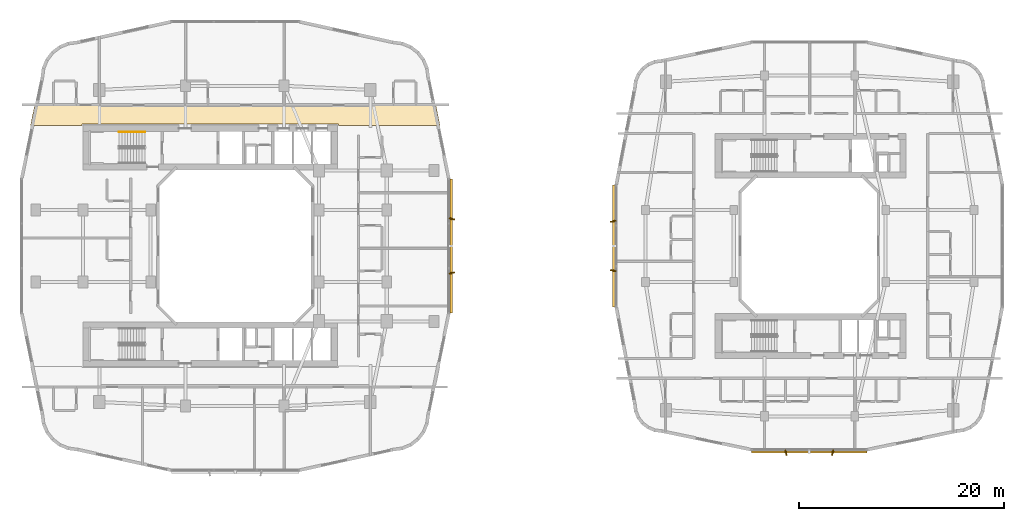
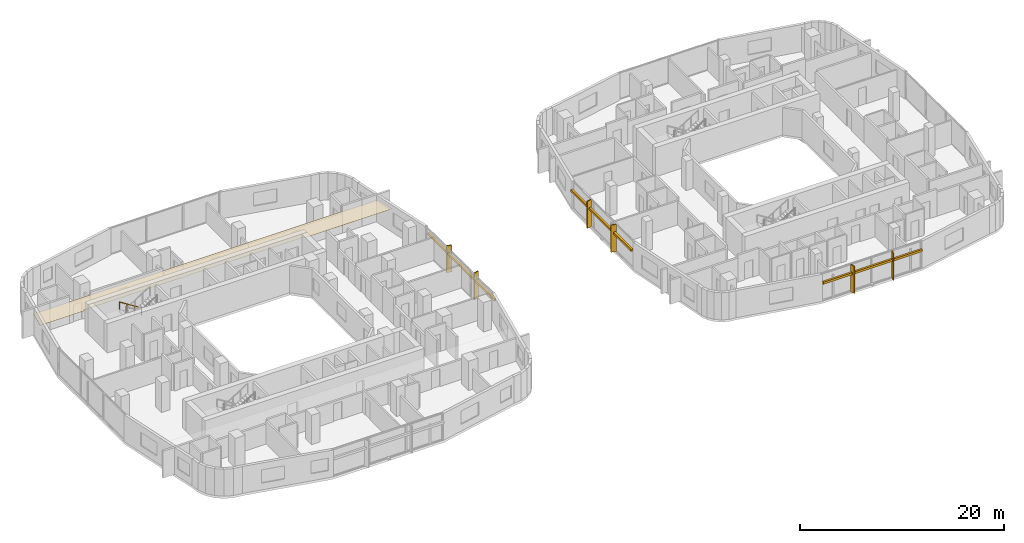
# One storey, part 26 of 27: 9 shading devices, 1 covering, 1 railing.
"""IFC4 building model written with IfcOpenShell, lengths in metres."""

import ifcopenshell
import ifcopenshell.guid

model = None  # the IFC model being written
_history = None  # IfcOwnerHistory: only IFC2X3 demands one
_inside = {}  # id of a spatial element -> (the spatial element, [elements in it])
_under = {}  # id of a project, library or spatial element -> (it, [spatial elements below it])
_declared = {}  # id of a project -> (the project, [libraries it declares])
_typed = {}  # id of a type object -> (the type object, [elements of that type])
_made_of = {}  # id of a material, layer set ... -> (it, [elements and type objects made of it])


def new_model(schema):
    """Start an empty IFC model of exactly this schema.

    Asked for "IFC4X3", IfcOpenShell would pick the latest addendum, in which some entities
    have other attributes; the version numbers below select the first issue.
    IFC2X3 requires an IfcOwnerHistory on every rooted entity: one is made here for all.
    """
    global model, _history
    if schema == "IFC4X3":
        model = ifcopenshell.file(schema_version=(4, 3, 0, 0))
    else:
        model = ifcopenshell.file(schema=schema)
    _inside.clear()
    _under.clear()
    _declared.clear()
    _typed.clear()
    _made_of.clear()
    _history = None
    if model.schema == "IFC2X3":
        org = make("IfcOrganization", Name="unknown")
        user = make(
            "IfcPersonAndOrganization",
            ThePerson=make("IfcPerson", FamilyName="unknown"),
            TheOrganization=org,
        )
        app = make(
            "IfcApplication",
            ApplicationDeveloper=org,
            Version="unknown",
            ApplicationFullName="unknown",
            ApplicationIdentifier="unknown",
        )
        _history = make(
            "IfcOwnerHistory",
            OwningUser=user,
            OwningApplication=app,
            ChangeAction="ADDED",
            CreationDate=0,
        )
    return model


def make(cls, **values):
    """One entity of the class cls with the attributes given. An attribute that is None is left unset."""
    return model.create_entity(
        cls, **{name: value for name, value in values.items() if value is not None}
    )


def rooted(cls, **values):
    """An entity with a GlobalId (a new one), such as an element, a storey or a relation."""
    return make(cls, GlobalId=ifcopenshell.guid.new(), OwnerHistory=_history, **values)


def si_unit(unit_type, name, prefix=None):
    """IfcSIUnit, for example si_unit("LENGTHUNIT", "METRE", prefix="MILLI")."""
    return make("IfcSIUnit", UnitType=unit_type, Prefix=prefix, Name=name)


def derived_unit(unit_type, elements):
    """IfcDerivedUnit: a product of units, each with its exponent."""
    return make(
        "IfcDerivedUnit",
        Elements=[
            make("IfcDerivedUnitElement", Unit=unit, Exponent=power)
            for unit, power in elements
        ],
        UnitType=unit_type,
    )


def assignment(units):
    """IfcUnitAssignment: the units of a project."""
    return None if units is None else make("IfcUnitAssignment", Units=units)


def point(xyz):
    """IfcCartesianPoint."""
    return None if xyz is None else make("IfcCartesianPoint", Coordinates=xyz)


def direction(xyz):
    """IfcDirection."""
    return None if xyz is None else make("IfcDirection", DirectionRatios=xyz)


def frame(location, z_axis=None, x_axis=None):
    """IfcAxis2Placement3D, a coordinate frame: its origin and axes. An axis left out is left unset."""
    return make(
        "IfcAxis2Placement3D",
        Location=point(location),
        Axis=direction(z_axis),
        RefDirection=direction(x_axis),
    )


def frame_2d(location, x_axis=None):
    """IfcAxis2Placement2D, a coordinate frame in the plane: its origin and x axis."""
    return make(
        "IfcAxis2Placement2D", Location=point(location), RefDirection=direction(x_axis)
    )


def origin():
    """The frame at (0, 0, 0) with its axes left unset."""
    return frame((0.0, 0.0, 0.0))


def origin_2d():
    """The frame at (0, 0) in the plane with its x axis left unset."""
    return frame_2d((0.0, 0.0))


def place(relative_to, where):
    """IfcLocalPlacement: puts the frame where relative to a parent placement (None: the world)."""
    return make(
        "IfcLocalPlacement", PlacementRelTo=relative_to, RelativePlacement=where
    )


def context(
    kind, dimensions, precision=None, world=None, true_north=None, identifier=None
):
    """IfcGeometricRepresentationContext, for example the 3D "Model" context."""
    return make(
        "IfcGeometricRepresentationContext",
        ContextIdentifier=identifier,
        ContextType=kind,
        CoordinateSpaceDimension=dimensions,
        Precision=precision,
        WorldCoordinateSystem=world,
        TrueNorth=true_north,
    )


def subcontext(parent, identifier, kind, view, scale=None):
    """IfcGeometricRepresentationSubContext, for example "Body" below "Model"."""
    return make(
        "IfcGeometricRepresentationSubContext",
        ContextIdentifier=identifier,
        ContextType=kind,
        ParentContext=parent,
        TargetScale=scale,
        TargetView=view,
    )


def project(units=None, contexts=None):
    """IfcProject with its units and contexts."""
    return rooted(
        "IfcProject",
        Name="project",
        RepresentationContexts=contexts,
        UnitsInContext=assignment(units),
    )


def spatial(cls, under=None, at=None, **own):
    """A site, building, storey or space (cls), placed at a placement, below another one or the project."""
    s = rooted(cls, ObjectPlacement=at, **own)
    if under is not None:
        _under.setdefault(under.id(), (under, []))[1].append(s)
    return s


def polyline(points):
    """IfcPolyline through the points."""
    return make("IfcPolyline", Points=[point(p) for p in points])


def profile(cls, at=None, kind="AREA", **sizes):
    """A parametric profile (cls). Its sizes go by their IFC names, for example OverallWidth=200.0."""
    return make(cls, ProfileType=kind, Position=at, **sizes)


def rectangle(**sizes):
    """IfcRectangleProfileDef."""
    return profile("IfcRectangleProfileDef", **sizes)


def circle(**sizes):
    """IfcCircleProfileDef."""
    return profile("IfcCircleProfileDef", **sizes)


def outline(outer, holes=None, kind="AREA"):
    """IfcArbitraryClosedProfileDef: a profile drawn as a closed curve; with holes, ...WithVoids."""
    if holes is None:
        return make("IfcArbitraryClosedProfileDef", ProfileType=kind, OuterCurve=outer)
    return make(
        "IfcArbitraryProfileDefWithVoids",
        ProfileType=kind,
        OuterCurve=outer,
        InnerCurves=holes,
    )


def extrude(swept, where, along, depth):
    """IfcExtrudedAreaSolid: the profile swept, set in the frame where, extruded along a direction by depth."""
    return make(
        "IfcExtrudedAreaSolid",
        SweptArea=swept,
        Position=where,
        ExtrudedDirection=direction(along),
        Depth=depth,
    )


def shape(context_of_items, identifier, shape_type, items):
    """IfcShapeRepresentation: the items that make up one representation, for example the "Body"."""
    return make(
        "IfcShapeRepresentation",
        ContextOfItems=context_of_items,
        RepresentationIdentifier=identifier,
        RepresentationType=shape_type,
        Items=items,
    )


def material(Name=None, Category=None):
    """IfcMaterial."""
    return make("IfcMaterial", Name=Name, Category=Category)


def layer(
    of_material, thickness, ventilated=None, Name=None, Category=None, Priority=None
):
    """IfcMaterialLayer: one layer of a wall or slab, of a material (None: an air gap)."""
    return make(
        "IfcMaterialLayer",
        Material=of_material,
        LayerThickness=thickness,
        IsVentilated=ventilated,
        Name=Name,
        Category=Category,
        Priority=Priority,
    )


def layer_set(layers, Name=None):
    """IfcMaterialLayerSet."""
    return make("IfcMaterialLayerSet", MaterialLayers=layers, LayerSetName=Name)


def made_of(thing, what):
    """Note that an element or type object is made of a material, layer set ...; save() writes the relation."""
    if what is not None:
        _made_of.setdefault(what.id(), (what, []))[1].append(thing)
    return thing


def type_object(cls, material=None, **own):
    """A type object (cls), such as IfcWallType, which elements share."""
    return made_of(rooted(cls, **own), material)


def element(
    cls,
    number,
    at=None,
    inside=None,
    cuts=None,
    type_object=None,
    material=None,
    context=None,
    identifier="Body",
    shape_type=None,
    held_by="IfcProductDefinitionShape",
    body=None,
    shapes=None,
    **own,
):
    """One element of the class cls, such as IfcWall. Its Tag is "e" and its number.

    at: its placement. inside: the storey or other place that contains it. cuts: it is an
    opening in that element (IfcRelVoidsElement). A single representation is given by context,
    identifier, shape_type and body (its items); several are given by shapes. held_by: the class
    of the entity that holds the representations. save() writes the other relations.
    """
    e = rooted(cls, Tag="e%d" % number, ObjectPlacement=at, **own)
    if body is not None:
        shapes = [shape(context, identifier, shape_type, body)]
    if shapes is not None:
        e.Representation = make(held_by, Representations=shapes)
    if inside is not None:
        _inside.setdefault(inside.id(), (inside, []))[1].append(e)
    if cuts is not None:
        rooted(
            "IfcRelVoidsElement", RelatingBuildingElement=cuts, RelatedOpeningElement=e
        )
    if type_object is not None:
        _typed.setdefault(type_object.id(), (type_object, []))[1].append(e)
    return made_of(e, material)


def aggregate(whole, parts):
    """IfcRelAggregates: a whole, such as a stair, and the parts it consists of."""
    return rooted("IfcRelAggregates", RelatingObject=whole, RelatedObjects=parts)


def save(model, path):
    """Write the relations noted so far, then the file.

    IfcRelAggregates (storeys below a building ...), IfcRelContainedInSpatialStructure (elements
    in a storey), IfcRelDefinesByType, IfcRelAssociatesMaterial and IfcRelDeclares: one each for
    every whole, place, type object, material and project.
    """
    for whole, parts in _under.values():
        aggregate(whole, parts)
    for where, things in _inside.values():
        rooted(
            "IfcRelContainedInSpatialStructure",
            RelatedElements=things,
            RelatingStructure=where,
        )
    for kind, things in _typed.values():
        rooted("IfcRelDefinesByType", RelatedObjects=things, RelatingType=kind)
    for what, things in _made_of.values():
        rooted("IfcRelAssociatesMaterial", RelatedObjects=things, RelatingMaterial=what)
    for by, libraries in _declared.values():
        rooted("IfcRelDeclares", RelatingContext=by, RelatedDefinitions=libraries)
    model.write(path)


model = new_model("IFC4")

# Units and contexts
model_context = context("Model", 3, precision=1e-05, world=origin(), true_north=direction((0.0, 1.0)))
body_context = subcontext(model_context, "Body", "Model", "MODEL_VIEW")
ifc_project = project(units=[si_unit("LENGTHUNIT", "METRE"), si_unit("AREAUNIT", "SQUARE_METRE"), si_unit("VOLUMEUNIT", "CUBIC_METRE"), si_unit("PLANEANGLEUNIT", "RADIAN"), si_unit("MASSUNIT", "GRAM", prefix="KILO"), derived_unit("THERMALTRANSMITTANCEUNIT", [(si_unit("POWERUNIT", "WATT"), 1), (si_unit("LENGTHUNIT", "METRE"), -2), (si_unit("THERMODYNAMICTEMPERATUREUNIT", "KELVIN"), -1)])], contexts=[model_context])

# Site, building, storey
site_placement = place(None, origin())
site = spatial("IfcSite", under=ifc_project, at=site_placement, CompositionType="ELEMENT")
building_placement = place(site_placement, origin())
building = spatial("IfcBuilding", under=site, at=building_placement, Name="Kivonza Crest Hotel", CompositionType="ELEMENT")
storey_placement = place(building_placement, frame((0.0, 0.0, 41.5)))
storey = spatial("IfcBuildingStorey", under=building, at=storey_placement, Name="L10", CompositionType="ELEMENT", Elevation=41.5)

# Covering
ifc_material_1 = material(Name="Mineral-fibre acoustic ceiling tile", Category="gypsum")
ifc_layer = layer(ifc_material_1, 0.02490234375)
ifc_layer_set = layer_set([ifc_layer], Name="Mineral-fibre acoustic ceiling tile")
covering_type = type_object("IfcCoveringType", Name="CV-CEIL-ACOU", PredefinedType="CEILING", material=ifc_layer_set)
covering_placement = place(storey_placement, frame((0.0, 0.0, 2.449951171875)))
element("IfcCovering", 1, at=covering_placement, inside=storey, type_object=covering_type, Name="L10 Hotel North Guest Corridor suspended ceiling", PredefinedType="CEILING", context=body_context, shape_type="SweptSolid", body=[
    extrude(outline(polyline([(1.506103515625, 38.7900390625), (1.083984375, 36.719970703125), (6.10009765625, 36.719970703125), (6.10009765625, 36.860107421875), (31.10009765625, 36.860107421875), (31.10009765625, 36.719970703125), (40.99609375, 36.719970703125), (40.573974609375, 38.7900390625), (1.506103515625, 38.7900390625)])), origin(), (0.0, 0.0, 1.0), 0.025146484375),
])

# Railing
ifc_material_2 = material(Name="Brushed stainless steel handrail", Category="steel")
railing_type = type_object("IfcRailingType", Name="RL-HAND-900", PredefinedType="HANDRAIL", material=ifc_material_2)
railing_placement = place(storey_placement, frame((12.239990234375, 36.110107421875, 0.175048828125)))
element("IfcRailing", 2, at=railing_placement, inside=storey, type_object=railing_type, Name="L10 ST-T1-N stair handrail 1", PredefinedType="HANDRAIL", context=body_context, shape_type="SweptSolid", body=[
    extrude(circle(Radius=0.02392578125, at=origin_2d()), frame((0.0, 0.0, 0.8759765625), z_axis=(-0.848007534815, 0.0, 0.529984170421), x_axis=(0.0, -1.0, 0.0)), (0.0, 0.0, 1.0), 2.9716796875),
    extrude(circle(Radius=0.02099609375, at=origin_2d()), origin(), (0.0, 0.0, 1.0), 0.851806640625),
    extrude(circle(Radius=0.02099609375, at=origin_2d()), frame((-0.840087890625, 0.0, 0.52490234375)), (0.0, 0.0, 1.0), 0.851806640625),
    extrude(circle(Radius=0.02099609375, at=origin_2d()), frame((-1.679931640625, 0.0, 1.050048828125)), (0.0, 0.0, 1.0), 0.851806640625),
    extrude(circle(Radius=0.02099609375, at=origin_2d()), frame((-2.52001953125, 0.0, 1.574951171875)), (0.0, 0.0, 1.0), 0.851806640625),
])

# Shading devices
ifc_material_3 = material(Name="Kiln-fired Nairobi red-ochre terracotta", Category="masonry")
shading_device_type_1 = type_object("IfcShadingDeviceType", Name="SH-BAGUETTE-300", PredefinedType="USERDEFINED", material=ifc_material_3)
shading_device_1_placement = place(storey_placement, frame((42.080078125, 25.0, 2.1240234375), z_axis=(0.0, 0.0, 1.0), x_axis=(0.0, 1.0, 0.0)))
element("IfcShadingDevice", 3, at=shading_device_1_placement, inside=storey, type_object=shading_device_type_1, Name="L10 terracotta baguette screen CW-T1-L10-17", ObjectType="BAGUETTE", PredefinedType="USERDEFINED", context=body_context, shape_type="SweptSolid", body=[
    extrude(rectangle(XDim=13.080078125, YDim=0.219970703125, at=origin_2d()), origin(), (0.0, 0.0, 1.0), 0.260009765625),
])
shading_device_2_placement = place(storey_placement, frame((76.9599609375, 4.919921875, 2.14501953125), z_axis=(0.0, 0.0, 1.0), x_axis=(1.0, 0.0, 0.0)))
element("IfcShadingDevice", 4, at=shading_device_2_placement, inside=storey, type_object=shading_device_type_1, Name="L10 terracotta baguette screen CW-T2-L10-08", ObjectType="BAGUETTE", PredefinedType="USERDEFINED", context=body_context, shape_type="SweptSolid", body=[
    extrude(rectangle(XDim=11.256103515625, YDim=0.219970703125, at=origin_2d()), origin(), (0.0, 0.0, 1.0), 0.260009765625),
])
shading_device_3_placement = place(storey_placement, frame((57.919921875, 25.0, 2.14501953125), z_axis=(0.0, 0.0, 1.0), x_axis=(0.0, -1.0, 0.0)))
element("IfcShadingDevice", 5, at=shading_device_3_placement, inside=storey, type_object=shading_device_type_1, Name="L10 terracotta baguette screen CW-T2-L10-35", ObjectType="BAGUETTE", PredefinedType="USERDEFINED", context=body_context, shape_type="SweptSolid", body=[
    extrude(rectangle(XDim=11.8798828125, YDim=0.219970703125, at=origin_2d()), origin(), (0.0, 0.0, 1.0), 0.260009765625),
])
ifc_material_4 = material(Name="Kiln-fired terracotta over extruded aluminium spine", Category="masonry")
shading_device_type_2 = type_object("IfcShadingDeviceType", Name="SH-FIN-550", PredefinedType="USERDEFINED", material=ifc_material_4)
for number, where, z_axis, x_axis, name in (
    (6, (42.139892578125, 22.360107421875, 0.0), (0.0, 0.0, 1.0), (-0.2419218956, 0.970295726276, 0.0), "L10 vertical solar shading fin CW-T1-L10-17-1"),
    (7, (42.139892578125, 27.639892578125, 0.0), (0.0, 0.0, 1.0), (0.2419218956, 0.970295726276, 0.0), "L10 vertical solar shading fin CW-T1-L10-17-2"),
):
    element("IfcShadingDevice", number, at=place(storey_placement, frame(where, z_axis=z_axis, x_axis=x_axis)), inside=storey, type_object=shading_device_type_2, Name=name, ObjectType="FIN", PredefinedType="USERDEFINED", context=body_context, shape_type="SweptSolid", body=[
        extrude(rectangle(XDim=0.1201171875, YDim=0.550048828125, at=origin_2d()), origin(), (0.0, 0.0, 1.0), 3.219970703125),
    ])
for number, where, z_axis, x_axis, name in (
    (8, (74.68505859375, 4.860107421875, 0.0), (0.0, 0.0, 1.0), (0.970295726276, 0.2419218956, 0.0), "L10 vertical solar shading fin CW-T2-L10-08-1"),
    (9, (79.235107421875, 4.860107421875, 0.0), (0.0, 0.0, 1.0), (0.970295726276, -0.2419218956, 0.0), "L10 vertical solar shading fin CW-T2-L10-08-2"),
    (10, (57.860107421875, 27.39990234375, 0.0), (0.0, 0.0, 1.0), (0.2419218956, -0.970295726276, 0.0), "L10 vertical solar shading fin CW-T2-L10-35-1"),
    (11, (57.860107421875, 22.60009765625, 0.0), (0.0, 0.0, 1.0), (-0.2419218956, -0.970295726276, 0.0), "L10 vertical solar shading fin CW-T2-L10-35-2"),
):
    element("IfcShadingDevice", number, at=place(storey_placement, frame(where, z_axis=z_axis, x_axis=x_axis)), inside=storey, type_object=shading_device_type_2, Name=name, ObjectType="FIN", PredefinedType="USERDEFINED", context=body_context, shape_type="SweptSolid", body=[
        extrude(rectangle(XDim=0.1201171875, YDim=0.550048828125, at=origin_2d()), origin(), (0.0, 0.0, 1.0), 3.25),
    ])

save(model, "model.ifc")
